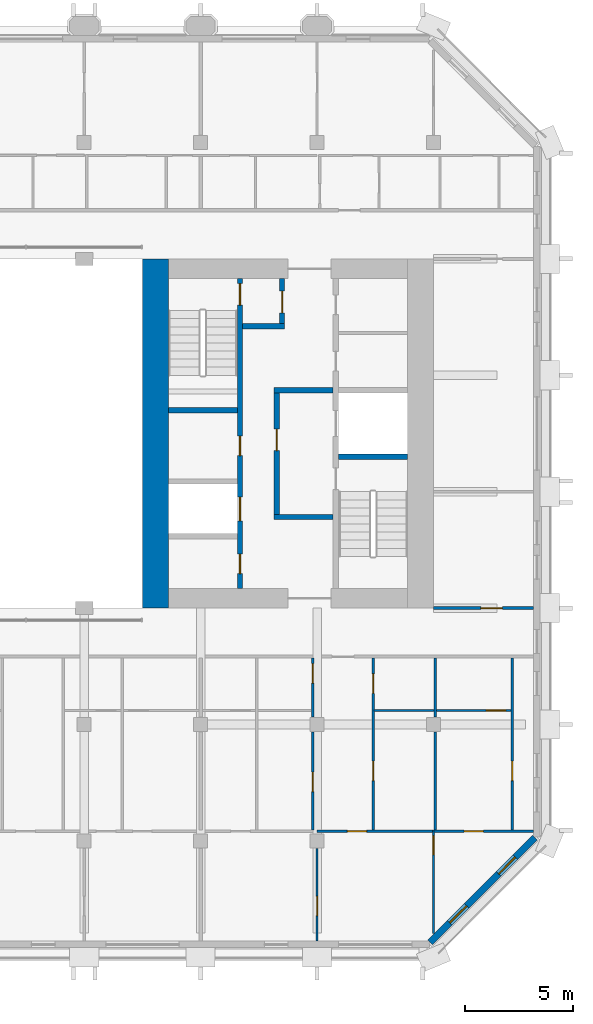
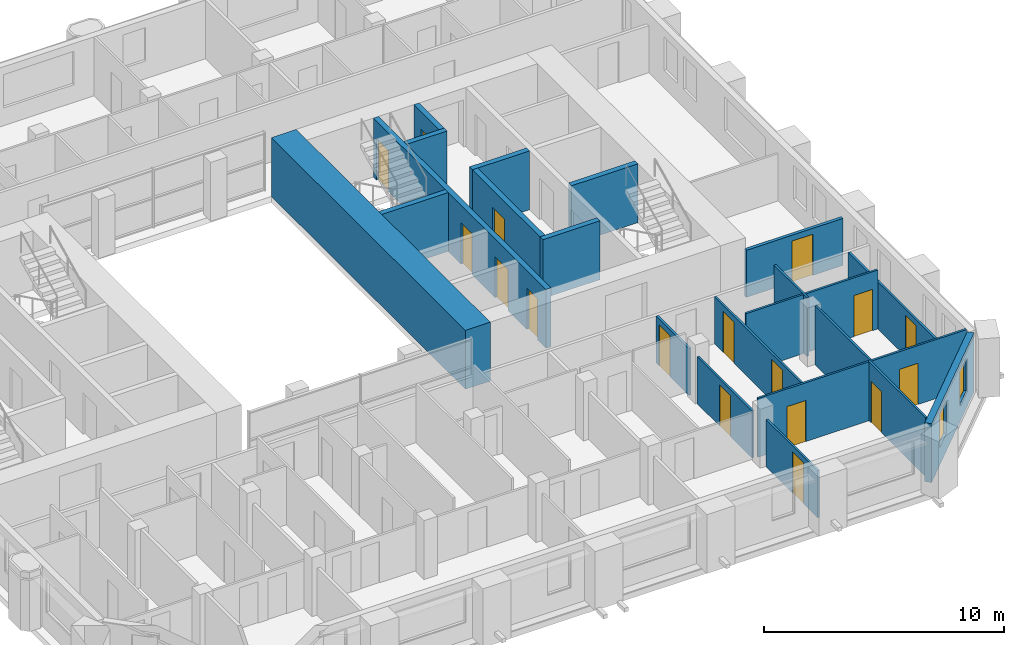
# One storey, part 8 of 14: 23 walls, 17 doors, 2 windows, 19 openings.
"""IFC4 building model written with IfcOpenShell, lengths in metres."""

from ifc_helpers import new_model, si_unit, direction, frame, frame_2d, origin, place, context, subcontext, project, spatial, rectangle, extrude, material, layer, layer_set, type_object, element, fill, save


model = new_model("IFC4")

# Units and contexts
model_context = context("Model", 3, precision=1e-05, world=origin(), true_north=direction((0.0, 1.0)))
body_context = subcontext(model_context, "Body", "Model", "MODEL_VIEW")
ifc_project = project(units=[si_unit("LENGTHUNIT", "METRE"), si_unit("AREAUNIT", "SQUARE_METRE"), si_unit("VOLUMEUNIT", "CUBIC_METRE"), si_unit("PLANEANGLEUNIT", "RADIAN"), si_unit("MASSUNIT", "GRAM", prefix="KILO")], contexts=[model_context])

# Site, building, storey
site_placement = place(None, origin())
site = spatial("IfcSite", under=ifc_project, at=site_placement, CompositionType="ELEMENT")
building_placement = place(site_placement, origin())
building = spatial("IfcBuilding", under=site, at=building_placement, Name="Tabaq Tower and Sports Hall", CompositionType="ELEMENT")
storey_placement = place(building_placement, frame((0.0, 0.0, 281.800048828125)))
storey = spatial("IfcBuildingStorey", under=building, at=storey_placement, Name="L69", CompositionType="ELEMENT", Elevation=281.800048828125)

# Wall
ifc_material_1 = material(Name="Concrete C40/50", Category="concrete")
ifc_layer_1 = layer(ifc_material_1, 1.199951171875)
ifc_layer_set_1 = layer_set([ifc_layer_1], Name="Core wall 1200 Concrete C40/50")
wall_type_1 = type_object("IfcWallType", Name="Core wall 1200 Concrete C40/50", PredefinedType="SOLIDWALL", material=ifc_layer_set_1)
wall_1_placement = place(storey_placement, frame((30.300048828125, 16.199951171875, 0.0), z_axis=(0.0, 0.0, 1.0), x_axis=(0.0, 1.0, 0.0)))
element("IfcWall", 1, at=wall_1_placement, inside=storey, type_object=wall_type_1, Name="Core wall E L69", PredefinedType="SOLIDWALL", context=body_context, shape_type="SweptSolid", body=[
    extrude(rectangle(XDim=16.199951171875, YDim=1.199951171875, at=frame_2d((8.10009765625, 0.0))), origin(), (0.0, 0.0, 1.0), 3.0),
])

# Wall, opening, door
ifc_material_2 = material(Name="Gypsum board on steel studs", Category="steel")
ifc_layer_2 = layer(ifc_material_2, 0.10009765625)
ifc_layer_set_2 = layer_set([ifc_layer_2], Name="Partition 100 Gypsum board")
wall_type_2 = type_object("IfcWallType", Name="Partition 100 Gypsum board", PredefinedType="PARTITIONING", material=ifc_layer_set_2)
wall_2_placement = place(storey_placement, frame((37.800048828125, 0.7509765625, 0.0), z_axis=(0.0, 0.0, 1.0), x_axis=(0.0, 1.0, 0.0)))
wall_2 = element("IfcWall", 2, at=wall_2_placement, inside=storey, type_object=wall_type_2, Name="Partition wall L69", PredefinedType="PARTITIONING", context=body_context, shape_type="SweptSolid", body=[
    extrude(rectangle(XDim=4.303955078125, YDim=0.10009765625, at=frame_2d((2.15185546875, 0.0))), origin(), (0.0, 0.0, 1.0), 2.39990234375),
])
opening_1_placement = place(wall_2_placement, frame((1.179931640625, 0.0, 0.0)))
opening_1 = element("IfcOpeningElement", 3, at=opening_1_placement, cuts=wall_2, Name="Opening L69-044", PredefinedType="OPENING", context=body_context, shape_type="SweptSolid", body=[
    extrude(rectangle(XDim=0.89990234375, YDim=2.10009765625, at=frame_2d((0.449951171875, 1.050048828125))), frame((0.0, 0.050048828125, 0.0), z_axis=(0.0, -1.0, 0.0), x_axis=(1.0, 0.0, 0.0)), (0.0, 0.0, 1.0), 0.10009765625),
])
ifc_material_3 = material(Name="Timber leaf in steel frame", Category="steel")
door_type_1 = type_object("IfcDoorType", Name="Internal door 900 right hand", OperationType="SINGLE_SWING_RIGHT", PredefinedType="DOOR", material=ifc_material_3)
door_1_placement = place(opening_1_placement, origin())
door_1 = element("IfcDoor", 4, at=door_1_placement, inside=storey, type_object=door_type_1, Name="Internal door L69-044", OperationType="SINGLE_SWING_RIGHT", OverallHeight=2.10009765625, OverallWidth=0.89990234375, PredefinedType="DOOR", context=body_context, shape_type="SweptSolid", body=[
    extrude(rectangle(XDim=0.89990234375, YDim=2.10009765625, at=frame_2d((0.449951171875, 1.050048828125))), frame((0.0, 0.02490234375, 0.0), z_axis=(0.0, -1.0, 0.0), x_axis=(1.0, 0.0, 0.0)), (0.0, 0.0, 1.0), 0.050048828125),
])
fill(opening_1, door_1)

wall_3_placement = place(storey_placement, frame((43.199951171875, 1.112060546875, 0.0), z_axis=(0.0, 0.0, 1.0), x_axis=(0.0, 1.0, 0.0)))
wall_3 = element("IfcWall", 5, at=wall_3_placement, inside=storey, type_object=wall_type_2, Name="Partition wall L69", PredefinedType="PARTITIONING", context=body_context, shape_type="SweptSolid", body=[
    extrude(rectangle(XDim=4.787841796875, YDim=0.10009765625, at=frame_2d((2.39404296875, 0.0))), origin(), (0.0, 0.0, 1.0), 3.0),
])
opening_2_placement = place(wall_3_placement, frame((3.637939453125, 0.0, 0.0)))
opening_2 = element("IfcOpeningElement", 6, at=opening_2_placement, cuts=wall_3, Name="Opening L69-052", PredefinedType="OPENING", context=body_context, shape_type="SweptSolid", body=[
    extrude(rectangle(XDim=0.89990234375, YDim=2.10009765625, at=frame_2d((0.449951171875, 1.050048828125))), frame((0.0, 0.050048828125, 0.0), z_axis=(0.0, -1.0, 0.0), x_axis=(1.0, 0.0, 0.0)), (0.0, 0.0, 1.0), 0.10009765625),
])
ifc_material_4 = material(Name="Timber leaf in steel frame", Category="steel")
door_type_2 = type_object("IfcDoorType", Name="Internal door 900 left hand", OperationType="SINGLE_SWING_LEFT", PredefinedType="DOOR", material=ifc_material_4)
door_2_placement = place(opening_2_placement, origin())
door_2 = element("IfcDoor", 7, at=door_2_placement, inside=storey, type_object=door_type_2, Name="Internal door L69-052", OperationType="SINGLE_SWING_LEFT", OverallHeight=2.10009765625, OverallWidth=0.89990234375, PredefinedType="DOOR", context=body_context, shape_type="SweptSolid", body=[
    extrude(rectangle(XDim=0.89990234375, YDim=2.10009765625, at=frame_2d((0.449951171875, 1.050048828125))), frame((0.0, 0.02490234375, 0.0), z_axis=(0.0, -1.0, 0.0), x_axis=(1.0, 0.0, 0.0)), (0.0, 0.0, 1.0), 0.050048828125),
])
fill(opening_2, door_2)

wall_4_placement = place(storey_placement, frame((43.14990234375, 5.85009765625, 0.0), z_axis=(0.0, 0.0, 1.0), x_axis=(-1.0, 0.0, 0.0)))
wall_4 = element("IfcWall", 8, at=wall_4_placement, inside=storey, type_object=wall_type_2, Name="Partition wall L69", PredefinedType="PARTITIONING", context=body_context, shape_type="SweptSolid", body=[
    extrude(rectangle(XDim=5.349853515625, YDim=0.10009765625, at=frame_2d((2.6748046875, 0.0))), origin(), (0.0, 0.0, 1.0), 3.0),
])
opening_3_placement = place(wall_4_placement, frame((3.048095703125, 0.0, 0.0)))
opening_3 = element("IfcOpeningElement", 9, at=opening_3_placement, cuts=wall_4, Name="Opening L69-053", PredefinedType="OPENING", context=body_context, shape_type="SweptSolid", body=[
    extrude(rectangle(XDim=0.89990234375, YDim=2.10009765625, at=frame_2d((0.449951171875, 1.050048828125))), frame((0.0, 0.050048828125, 0.0), z_axis=(0.0, -1.0, 0.0), x_axis=(1.0, 0.0, 0.0)), (0.0, 0.0, 1.0), 0.10009765625),
])
door_3_placement = place(opening_3_placement, origin())
door_3 = element("IfcDoor", 10, at=door_3_placement, inside=storey, type_object=door_type_1, Name="Internal door L69-053", OperationType="SINGLE_SWING_RIGHT", OverallHeight=2.10009765625, OverallWidth=0.89990234375, PredefinedType="DOOR", context=body_context, shape_type="SweptSolid", body=[
    extrude(rectangle(XDim=0.89990234375, YDim=2.10009765625, at=frame_2d((0.449951171875, 1.050048828125))), frame((0.0, 0.02490234375, 0.0), z_axis=(0.0, -1.0, 0.0), x_axis=(1.0, 0.0, 0.0)), (0.0, 0.0, 1.0), 0.050048828125),
])
fill(opening_3, door_3)

wall_5_placement = place(storey_placement, frame((47.84912109375, 5.85009765625, 0.0), z_axis=(0.0, 0.0, 1.0), x_axis=(-1.0, 0.0, 0.0)))
wall_5 = element("IfcWall", 11, at=wall_5_placement, inside=storey, type_object=wall_type_2, Name="Partition wall L69", PredefinedType="PARTITIONING", context=body_context, shape_type="SweptSolid", body=[
    extrude(rectangle(XDim=4.6181640625, YDim=0.10009765625, at=frame_2d((2.30908203125, 0.0))), origin(), (0.0, 0.0, 1.0), 3.0),
])
opening_4_placement = place(wall_5_placement, frame((2.3330078125, 0.0, 0.0)))
opening_4 = element("IfcOpeningElement", 12, at=opening_4_placement, cuts=wall_5, Name="Opening L69-046", PredefinedType="OPENING", context=body_context, shape_type="SweptSolid", body=[
    extrude(rectangle(XDim=0.89990234375, YDim=2.10009765625, at=frame_2d((0.449951171875, 1.050048828125))), frame((0.0, 0.050048828125, 0.0), z_axis=(0.0, -1.0, 0.0), x_axis=(1.0, 0.0, 0.0)), (0.0, 0.0, 1.0), 0.10009765625),
])
door_4_placement = place(opening_4_placement, origin())
door_4 = element("IfcDoor", 13, at=door_4_placement, inside=storey, type_object=door_type_2, Name="Internal door L69-046", OperationType="SINGLE_SWING_LEFT", OverallHeight=2.10009765625, OverallWidth=0.89990234375, PredefinedType="DOOR", context=body_context, shape_type="SweptSolid", body=[
    extrude(rectangle(XDim=0.89990234375, YDim=2.10009765625, at=frame_2d((0.449951171875, 1.050048828125))), frame((0.0, 0.02490234375, 0.0), z_axis=(0.0, -1.0, 0.0), x_axis=(1.0, 0.0, 0.0)), (0.0, 0.0, 1.0), 0.050048828125),
])
fill(opening_4, door_4)

wall_6_placement = place(storey_placement, frame((37.60205078125, 5.89990234375, 0.0), z_axis=(0.0, 0.0, 1.0), x_axis=(0.0, 1.0, 0.0)))
wall_6 = element("IfcWall", 14, at=wall_6_placement, inside=storey, type_object=wall_type_2, Name="Partition wall L69", PredefinedType="PARTITIONING", context=body_context, shape_type="SweptSolid", body=[
    extrude(rectangle(XDim=4.55517578125, YDim=0.10009765625, at=frame_2d((2.277587890625, 0.0))), origin(), (0.0, 0.0, 1.0), 2.39990234375),
])
opening_5_placement = place(wall_6_placement, frame((1.787109375, 0.0, 0.0)))
opening_5 = element("IfcOpeningElement", 15, at=opening_5_placement, cuts=wall_6, Name="Opening L69-022", PredefinedType="OPENING", context=body_context, shape_type="SweptSolid", body=[
    extrude(rectangle(XDim=0.89990234375, YDim=2.10009765625, at=frame_2d((0.449951171875, 1.050048828125))), frame((0.0, 0.050048828125, 0.0), z_axis=(0.0, -1.0, 0.0), x_axis=(1.0, 0.0, 0.0)), (0.0, 0.0, 1.0), 0.10009765625),
])
door_5_placement = place(opening_5_placement, origin())
door_5 = element("IfcDoor", 16, at=door_5_placement, inside=storey, type_object=door_type_1, Name="Internal door L69-022", OperationType="SINGLE_SWING_RIGHT", OverallHeight=2.10009765625, OverallWidth=0.89990234375, PredefinedType="DOOR", context=body_context, shape_type="SweptSolid", body=[
    extrude(rectangle(XDim=0.89990234375, YDim=2.10009765625, at=frame_2d((0.449951171875, 1.050048828125))), frame((0.0, 0.02490234375, 0.0), z_axis=(0.0, -1.0, 0.0), x_axis=(1.0, 0.0, 0.0)), (0.0, 0.0, 1.0), 0.050048828125),
])
fill(opening_5, door_5)

wall_7_placement = place(storey_placement, frame((37.60205078125, 11.14501953125, 0.0), z_axis=(0.0, 0.0, 1.0), x_axis=(0.0, 1.0, 0.0)))
wall_7 = element("IfcWall", 17, at=wall_7_placement, inside=storey, type_object=wall_type_2, Name="Partition wall L69", PredefinedType="PARTITIONING", context=body_context, shape_type="SweptSolid", body=[
    extrude(rectangle(XDim=2.72998046875, YDim=0.10009765625, at=frame_2d((1.364990234375, 0.0))), origin(), (0.0, 0.0, 1.0), 2.39990234375),
])
opening_6_placement = place(wall_7_placement, frame((1.580078125, 0.0, 0.0)))
opening_6 = element("IfcOpeningElement", 18, at=opening_6_placement, cuts=wall_7, Name="Opening L69-023", PredefinedType="OPENING", context=body_context, shape_type="SweptSolid", body=[
    extrude(rectangle(XDim=0.89990234375, YDim=2.10009765625, at=frame_2d((0.449951171875, 1.050048828125))), frame((0.0, 0.050048828125, 0.0), z_axis=(0.0, -1.0, 0.0), x_axis=(1.0, 0.0, 0.0)), (0.0, 0.0, 1.0), 0.10009765625),
])
door_6_placement = place(opening_6_placement, origin())
door_6 = element("IfcDoor", 19, at=door_6_placement, inside=storey, type_object=door_type_2, Name="Internal door L69-023", OperationType="SINGLE_SWING_LEFT", OverallHeight=2.10009765625, OverallWidth=0.89990234375, PredefinedType="DOOR", context=body_context, shape_type="SweptSolid", body=[
    extrude(rectangle(XDim=0.89990234375, YDim=2.10009765625, at=frame_2d((0.449951171875, 1.050048828125))), frame((0.0, 0.02490234375, 0.0), z_axis=(0.0, -1.0, 0.0), x_axis=(1.0, 0.0, 0.0)), (0.0, 0.0, 1.0), 0.050048828125),
])
fill(opening_6, door_6)

# Wall, openings, doors
wall_8_placement = place(storey_placement, frame((40.402099609375, 5.89990234375, 0.0), z_axis=(0.0, 0.0, 1.0), x_axis=(0.0, 1.0, 0.0)))
wall_8 = element("IfcWall", 20, at=wall_8_placement, inside=storey, type_object=wall_type_2, Name="Partition wall L69", PredefinedType="PARTITIONING", context=body_context, shape_type="SweptSolid", body=[
    extrude(rectangle(XDim=7.97509765625, YDim=0.10009765625, at=frame_2d((3.987548828125, 0.0))), origin(), (0.0, 0.0, 1.0), 2.39990234375),
])
opening_7_placement = place(wall_8_placement, frame((2.300048828125, 0.0, 0.0)))
opening_7 = element("IfcOpeningElement", 21, at=opening_7_placement, cuts=wall_8, Name="Opening L69-024", PredefinedType="OPENING", context=body_context, shape_type="SweptSolid", body=[
    extrude(rectangle(XDim=0.89990234375, YDim=2.10009765625, at=frame_2d((0.449951171875, 1.050048828125))), frame((0.0, 0.050048828125, 0.0), z_axis=(0.0, -1.0, 0.0), x_axis=(1.0, 0.0, 0.0)), (0.0, 0.0, 1.0), 0.10009765625),
])
opening_8_placement = place(wall_8_placement, frame((6.35009765625, 0.0, 0.0)))
opening_8 = element("IfcOpeningElement", 22, at=opening_8_placement, cuts=wall_8, Name="Opening L69-025", PredefinedType="OPENING", context=body_context, shape_type="SweptSolid", body=[
    extrude(rectangle(XDim=0.89990234375, YDim=2.10009765625, at=frame_2d((0.449951171875, 1.050048828125))), frame((0.0, 0.050048828125, 0.0), z_axis=(0.0, -1.0, 0.0), x_axis=(1.0, 0.0, 0.0)), (0.0, 0.0, 1.0), 0.10009765625),
])
door_7_placement = place(opening_7_placement, origin())
door_7 = element("IfcDoor", 23, at=door_7_placement, inside=storey, type_object=door_type_2, Name="Internal door L69-024", OperationType="SINGLE_SWING_LEFT", OverallHeight=2.10009765625, OverallWidth=0.89990234375, PredefinedType="DOOR", context=body_context, shape_type="SweptSolid", body=[
    extrude(rectangle(XDim=0.89990234375, YDim=2.10009765625, at=frame_2d((0.449951171875, 1.050048828125))), frame((0.0, 0.02490234375, 0.0), z_axis=(0.0, -1.0, 0.0), x_axis=(1.0, 0.0, 0.0)), (0.0, 0.0, 1.0), 0.050048828125),
])
fill(opening_7, door_7)
door_8_placement = place(opening_8_placement, origin())
door_8 = element("IfcDoor", 24, at=door_8_placement, inside=storey, type_object=door_type_2, Name="Internal door L69-025", OperationType="SINGLE_SWING_LEFT", OverallHeight=2.10009765625, OverallWidth=0.89990234375, PredefinedType="DOOR", context=body_context, shape_type="SweptSolid", body=[
    extrude(rectangle(XDim=0.89990234375, YDim=2.10009765625, at=frame_2d((0.449951171875, 1.050048828125))), frame((0.0, 0.02490234375, 0.0), z_axis=(0.0, -1.0, 0.0), x_axis=(1.0, 0.0, 0.0)), (0.0, 0.0, 1.0), 0.050048828125),
])
fill(opening_8, door_8)

# Walls
wall_9_placement = place(storey_placement, frame((43.281005859375, 5.89990234375, 0.0), z_axis=(0.0, 0.0, 1.0), x_axis=(0.0, 1.0, 0.0)))
element("IfcWall", 25, at=wall_9_placement, inside=storey, type_object=wall_type_2, Name="Partition wall L69", PredefinedType="PARTITIONING", context=body_context, shape_type="SweptSolid", body=[
    extrude(rectangle(XDim=4.55517578125, YDim=0.10009765625, at=frame_2d((2.277587890625, 0.0))), origin(), (0.0, 0.0, 1.0), 3.0),
])
wall_10_placement = place(storey_placement, frame((43.23095703125, 11.449951171875, 0.0), z_axis=(0.0, 0.0, 1.0), x_axis=(-1.0, 0.0, 0.0)))
element("IfcWall", 26, at=wall_10_placement, inside=storey, type_object=wall_type_2, Name="Partition wall L69", PredefinedType="PARTITIONING", context=body_context, shape_type="SweptSolid", body=[
    extrude(rectangle(XDim=2.779052734375, YDim=0.10009765625, at=frame_2d((1.3896484375, 0.0))), origin(), (0.0, 0.0, 1.0), 3.0),
])
wall_11_placement = place(storey_placement, frame((43.281005859375, 11.14501953125, 0.0), z_axis=(0.0, 0.0, 1.0), x_axis=(0.0, 1.0, 0.0)))
element("IfcWall", 27, at=wall_11_placement, inside=storey, type_object=wall_type_2, Name="Partition wall L69", PredefinedType="PARTITIONING", context=body_context, shape_type="SweptSolid", body=[
    extrude(rectangle(XDim=2.72998046875, YDim=0.10009765625, at=frame_2d((1.364990234375, 0.0))), origin(), (0.0, 0.0, 1.0), 3.0),
])

# Wall, opening, door
wall_12_placement = place(storey_placement, frame((46.802001953125, 11.449951171875, 0.0), z_axis=(0.0, 0.0, 1.0), x_axis=(-1.0, 0.0, 0.0)))
wall_12 = element("IfcWall", 28, at=wall_12_placement, inside=storey, type_object=wall_type_2, Name="Partition wall L69", PredefinedType="PARTITIONING", context=body_context, shape_type="SweptSolid", body=[
    extrude(rectangle(XDim=3.470947265625, YDim=0.10009765625, at=frame_2d((1.7353515625, 0.0))), origin(), (0.0, 0.0, 1.0), 3.0),
])
opening_9_placement = place(wall_12_placement, frame((0.25, 0.0, 0.0)))
opening_9 = element("IfcOpeningElement", 29, at=opening_9_placement, cuts=wall_12, Name="Opening L69-026", PredefinedType="OPENING", context=body_context, shape_type="SweptSolid", body=[
    extrude(rectangle(XDim=0.89990234375, YDim=2.10009765625, at=frame_2d((0.449951171875, 1.050048828125))), frame((0.0, 0.050048828125, 0.0), z_axis=(0.0, -1.0, 0.0), x_axis=(1.0, 0.0, 0.0)), (0.0, 0.0, 1.0), 0.10009765625),
])
door_9_placement = place(opening_9_placement, origin())
door_9 = element("IfcDoor", 30, at=door_9_placement, inside=storey, type_object=door_type_2, Name="Internal door L69-026", OperationType="SINGLE_SWING_LEFT", OverallHeight=2.10009765625, OverallWidth=0.89990234375, PredefinedType="DOOR", context=body_context, shape_type="SweptSolid", body=[
    extrude(rectangle(XDim=0.89990234375, YDim=2.10009765625, at=frame_2d((0.449951171875, 1.050048828125))), frame((0.0, 0.02490234375, 0.0), z_axis=(0.0, -1.0, 0.0), x_axis=(1.0, 0.0, 0.0)), (0.0, 0.0, 1.0), 0.050048828125),
])
fill(opening_9, door_9)

wall_13_placement = place(storey_placement, frame((46.85205078125, 5.89990234375, 0.0), z_axis=(0.0, 0.0, 1.0), x_axis=(0.0, 1.0, 0.0)))
wall_13 = element("IfcWall", 31, at=wall_13_placement, inside=storey, type_object=wall_type_2, Name="Partition wall L69", PredefinedType="PARTITIONING", context=body_context, shape_type="SweptSolid", body=[
    extrude(rectangle(XDim=7.97509765625, YDim=0.10009765625, at=frame_2d((3.987548828125, 0.0))), origin(), (0.0, 0.0, 1.0), 2.39990234375),
])
opening_10_placement = place(wall_13_placement, frame((2.300048828125, 0.0, 0.0)))
opening_10 = element("IfcOpeningElement", 32, at=opening_10_placement, cuts=wall_13, Name="Opening L69-063", PredefinedType="OPENING", context=body_context, shape_type="SweptSolid", body=[
    extrude(rectangle(XDim=0.89990234375, YDim=2.10009765625, at=frame_2d((0.449951171875, 1.050048828125))), frame((0.0, 0.050048828125, 0.0), z_axis=(0.0, -1.0, 0.0), x_axis=(1.0, 0.0, 0.0)), (0.0, 0.0, 1.0), 0.10009765625),
])
door_10_placement = place(opening_10_placement, origin())
door_10 = element("IfcDoor", 33, at=door_10_placement, inside=storey, type_object=door_type_1, Name="Internal door L69-063", OperationType="SINGLE_SWING_RIGHT", OverallHeight=2.10009765625, OverallWidth=0.89990234375, PredefinedType="DOOR", context=body_context, shape_type="SweptSolid", body=[
    extrude(rectangle(XDim=0.89990234375, YDim=2.10009765625, at=frame_2d((0.449951171875, 1.050048828125))), frame((0.0, 0.02490234375, 0.0), z_axis=(0.0, -1.0, 0.0), x_axis=(1.0, 0.0, 0.0)), (0.0, 0.0, 1.0), 0.050048828125),
])
fill(opening_10, door_10)

ifc_material_5 = material(Name="Blockwork", Category="masonry")
ifc_layer_3 = layer(ifc_material_5, 0.14990234375)
ifc_layer_set_3 = layer_set([ifc_layer_3], Name="Separating wall 150 Blockwork")
wall_type_3 = type_object("IfcWallType", Name="Separating wall 150 Blockwork", PredefinedType="PARTITIONING", material=ifc_layer_set_3)
wall_14_placement = place(storey_placement, frame((43.199951171875, 16.199951171875, 0.0), z_axis=(0.0, 0.0, 1.0), x_axis=(1.0, 0.0, 0.0)))
wall_14 = element("IfcWall", 34, at=wall_14_placement, inside=storey, type_object=wall_type_3, Name="Separating wall L69", PredefinedType="PARTITIONING", context=body_context, shape_type="SweptSolid", body=[
    extrude(rectangle(XDim=4.649169921875, YDim=0.14990234375, at=frame_2d((2.32470703125, 0.0))), origin(), (0.0, 0.0, 1.0), 2.39990234375),
])
opening_11_placement = place(wall_14_placement, frame((2.199951171875, 0.0, 0.0)))
opening_11 = element("IfcOpeningElement", 35, at=opening_11_placement, cuts=wall_14, Name="Opening L69-027", PredefinedType="OPENING", context=body_context, shape_type="SweptSolid", body=[
    extrude(rectangle(XDim=1.0, YDim=2.10009765625, at=frame_2d((0.5, 1.050048828125))), frame((0.0, 0.074951171875, 0.0), z_axis=(0.0, -1.0, 0.0), x_axis=(1.0, 0.0, 0.0)), (0.0, 0.0, 1.0), 0.14990234375),
])
ifc_material_6 = material(Name="Timber leaf in steel frame", Category="steel")
door_type_3 = type_object("IfcDoorType", Name="Internal door 1000 right hand", OperationType="SINGLE_SWING_RIGHT", PredefinedType="DOOR", material=ifc_material_6)
door_11_placement = place(opening_11_placement, origin())
door_11 = element("IfcDoor", 36, at=door_11_placement, inside=storey, type_object=door_type_3, Name="Internal door L69-027", OperationType="SINGLE_SWING_RIGHT", OverallHeight=2.10009765625, OverallWidth=1.0, PredefinedType="DOOR", context=body_context, shape_type="SweptSolid", body=[
    extrude(rectangle(XDim=1.0, YDim=2.10009765625, at=frame_2d((0.5, 1.050048828125))), frame((0.0, 0.02490234375, 0.0), z_axis=(0.0, -1.0, 0.0), x_axis=(1.0, 0.0, 0.0)), (0.0, 0.0, 1.0), 0.050048828125),
])
fill(opening_11, door_11)

# Wall, openings, doors
ifc_material_7 = material(Name="Concrete C40/50", Category="concrete")
ifc_layer_4 = layer(ifc_material_7, 0.25)
ifc_layer_set_4 = layer_set([ifc_layer_4], Name="Shaft and stair wall 250 Concrete C40/50")
wall_type_4 = type_object("IfcWallType", Name="Shaft and stair wall 250 Concrete C40/50", PredefinedType="SOLIDWALL", material=ifc_layer_set_4)
wall_15_placement = place(storey_placement, frame((34.22509765625, 17.10009765625, 0.0), z_axis=(0.0, 0.0, 1.0), x_axis=(0.0, 1.0, 0.0)))
wall_15 = element("IfcWall", 37, at=wall_15_placement, inside=storey, type_object=wall_type_4, Name="Shaft wall E L69", PredefinedType="SOLIDWALL", context=body_context, shape_type="SweptSolid", body=[
    extrude(rectangle(XDim=14.39990234375, YDim=0.25, at=frame_2d((7.199951171875, 0.0))), origin(), (0.0, 0.0, 1.0), 3.0),
])
opening_12_placement = place(wall_15_placement, frame((13.14990234375, 0.0, 0.0)))
opening_12 = element("IfcOpeningElement", 38, at=opening_12_placement, cuts=wall_15, Name="Opening SD-EL69-05", PredefinedType="OPENING", context=body_context, shape_type="SweptSolid", body=[
    extrude(rectangle(XDim=1.0, YDim=2.10009765625, at=frame_2d((0.5, 1.050048828125))), frame((0.0, 0.125, 0.0), z_axis=(0.0, -1.0, 0.0), x_axis=(1.0, 0.0, 0.0)), (0.0, 0.0, 1.0), 0.25),
])
opening_13_placement = place(wall_15_placement, frame((3.14990234375, 0.0, 0.0)))
opening_13 = element("IfcOpeningElement", 39, at=opening_13_placement, cuts=wall_15, Name="Opening LD-HR2-L69", PredefinedType="OPENING", context=body_context, shape_type="SweptSolid", body=[
    extrude(rectangle(XDim=1.10009765625, YDim=2.10009765625, at=frame_2d((0.550048828125, 1.050048828125))), frame((0.0, 0.125, 0.0), z_axis=(0.0, -1.0, 0.0), x_axis=(1.0, 0.0, 0.0)), (0.0, 0.0, 1.0), 0.25),
])
opening_14_placement = place(wall_15_placement, frame((0.699951171875, 0.0, 0.0)))
opening_14 = element("IfcOpeningElement", 40, at=opening_14_placement, cuts=wall_15, Name="Opening RD-EL69-11", PredefinedType="OPENING", context=body_context, shape_type="SweptSolid", body=[
    extrude(rectangle(XDim=0.89990234375, YDim=2.10009765625, at=frame_2d((0.449951171875, 1.050048828125))), frame((0.0, 0.125, 0.0), z_axis=(0.0, -1.0, 0.0), x_axis=(1.0, 0.0, 0.0)), (0.0, 0.0, 1.0), 0.25),
])
opening_15_placement = place(wall_15_placement, frame((6.175048828125, 0.0, 0.0)))
opening_15 = element("IfcOpeningElement", 41, at=opening_15_placement, cuts=wall_15, Name="Opening RD-EL69-12", PredefinedType="OPENING", context=body_context, shape_type="SweptSolid", body=[
    extrude(rectangle(XDim=0.89990234375, YDim=2.10009765625, at=frame_2d((0.449951171875, 1.050048828125))), frame((0.0, 0.125, 0.0), z_axis=(0.0, -1.0, 0.0), x_axis=(1.0, 0.0, 0.0)), (0.0, 0.0, 1.0), 0.25),
])
ifc_material_8 = material(Name="Steel fire door", Category="steel")
door_type_4 = type_object("IfcDoorType", Name="Core room door 900", OperationType="SINGLE_SWING_LEFT", PredefinedType="DOOR", material=ifc_material_8)
door_12_placement = place(opening_14_placement, origin())
door_12 = element("IfcDoor", 42, at=door_12_placement, inside=storey, type_object=door_type_4, Name="Door Electrical Riser Room E L69", OperationType="SINGLE_SWING_LEFT", OverallHeight=2.10009765625, OverallWidth=0.89990234375, PredefinedType="DOOR", context=body_context, shape_type="SweptSolid", body=[
    extrude(rectangle(XDim=0.89990234375, YDim=2.10009765625, at=frame_2d((0.449951171875, 1.050048828125))), frame((0.0, 0.02490234375, 0.0), z_axis=(0.0, -1.0, 0.0), x_axis=(1.0, 0.0, 0.0)), (0.0, 0.0, 1.0), 0.050048828125),
])
fill(opening_14, door_12)
door_13_placement = place(opening_15_placement, origin())
door_13 = element("IfcDoor", 43, at=door_13_placement, inside=storey, type_object=door_type_4, Name="Door Riser Room E L69", OperationType="SINGLE_SWING_LEFT", OverallHeight=2.10009765625, OverallWidth=0.89990234375, PredefinedType="DOOR", context=body_context, shape_type="SweptSolid", body=[
    extrude(rectangle(XDim=0.89990234375, YDim=2.10009765625, at=frame_2d((0.449951171875, 1.050048828125))), frame((0.0, 0.02490234375, 0.0), z_axis=(0.0, -1.0, 0.0), x_axis=(1.0, 0.0, 0.0)), (0.0, 0.0, 1.0), 0.050048828125),
])
fill(opening_15, door_13)
ifc_material_9 = material(Name="Stainless steel", Category="steel")
door_type_5 = type_object("IfcDoorType", Name="Lift landing door 1100", OperationType="DOUBLE_DOOR_SLIDING", PredefinedType="DOOR", material=ifc_material_9)
door_14_placement = place(opening_13_placement, origin())
door_14 = element("IfcDoor", 44, at=door_14_placement, inside=storey, type_object=door_type_5, Name="Lift landing door HR2 E L69", OperationType="DOUBLE_DOOR_SLIDING", OverallHeight=2.10009765625, OverallWidth=1.10009765625, PredefinedType="DOOR", context=body_context, shape_type="SweptSolid", body=[
    extrude(rectangle(XDim=1.10009765625, YDim=2.10009765625, at=frame_2d((0.550048828125, 1.050048828125))), frame((0.0, 0.02490234375, 0.0), z_axis=(0.0, -1.0, 0.0), x_axis=(1.0, 0.0, 0.0)), (0.0, 0.0, 1.0), 0.050048828125),
])
fill(opening_13, door_14)
ifc_material_10 = material(Name="Steel fire door", Category="steel")
door_type_6 = type_object("IfcDoorType", Name="Stair door 1000", OperationType="SINGLE_SWING_LEFT", PredefinedType="DOOR", material=ifc_material_10)
door_15_placement = place(opening_12_placement, origin())
door_15 = element("IfcDoor", 45, at=door_15_placement, inside=storey, type_object=door_type_6, Name="Stair door ST4 E L69", OperationType="SINGLE_SWING_LEFT", OverallHeight=2.10009765625, OverallWidth=1.0, PredefinedType="DOOR", context=body_context, shape_type="SweptSolid", body=[
    extrude(rectangle(XDim=1.0, YDim=2.10009765625, at=frame_2d((0.5, 1.050048828125))), frame((0.0, 0.02490234375, 0.0), z_axis=(0.0, -1.0, 0.0), x_axis=(1.0, 0.0, 0.0)), (0.0, 0.0, 1.0), 0.050048828125),
])
fill(opening_12, door_15)

# Walls
wall_16_placement = place(storey_placement, frame((38.800048828125, 23.22509765625, 0.0), z_axis=(0.0, 0.0, 1.0), x_axis=(1.0, 0.0, 0.0)))
element("IfcWall", 46, at=wall_16_placement, inside=storey, type_object=wall_type_4, Name="Stair enclosure wall E L69", PredefinedType="SOLIDWALL", context=body_context, shape_type="SweptSolid", body=[
    extrude(rectangle(XDim=3.199951171875, YDim=0.25, at=frame_2d((1.60009765625, 0.0))), origin(), (0.0, 0.0, 1.0), 3.0),
])
wall_17_placement = place(storey_placement, frame((30.89990234375, 25.375, 0.0), z_axis=(0.0, 0.0, 1.0), x_axis=(1.0, 0.0, 0.0)))
element("IfcWall", 47, at=wall_17_placement, inside=storey, type_object=wall_type_4, Name="Stair enclosure wall E L69", PredefinedType="SOLIDWALL", context=body_context, shape_type="SweptSolid", body=[
    extrude(rectangle(XDim=3.2001953125, YDim=0.25, at=frame_2d((1.60009765625, 0.0))), origin(), (0.0, 0.0, 1.0), 3.0),
])
for number, where, z_axis, x_axis, name in (
    (48, (35.800048828125, 26.300048828125, 0.0), (0.0, 0.0, 1.0), (1.0, 0.0, 0.0), "Fire-fighting lobby wall E L69"),
    (49, (35.800048828125, 20.425048828125, 0.0), (0.0, 0.0, 1.0), (1.0, 0.0, 0.0), "Fire-fighting lobby wall E L69"),
):
    element("IfcWall", number, at=place(storey_placement, frame(where, z_axis=z_axis, x_axis=x_axis)), inside=storey, type_object=wall_type_4, Name=name, PredefinedType="SOLIDWALL", context=body_context, shape_type="SweptSolid", body=[
        extrude(rectangle(XDim=2.75, YDim=0.25, at=frame_2d((1.375, 0.0))), origin(), (0.0, 0.0, 1.0), 3.0),
    ])

# Wall, opening, door
wall_18_placement = place(storey_placement, frame((36.175048828125, 29.39990234375, 0.0), z_axis=(0.0, 0.0, 1.0), x_axis=(0.0, 1.0, 0.0)))
wall_18 = element("IfcWall", 50, at=wall_18_placement, inside=storey, type_object=wall_type_4, Name="Fire-fighting lobby wall E L69", PredefinedType="SOLIDWALL", context=body_context, shape_type="SweptSolid", body=[
    extrude(rectangle(XDim=2.10009765625, YDim=0.25, at=frame_2d((1.050048828125, 0.0))), origin(), (0.0, 0.0, 1.0), 3.0),
])
opening_16_placement = place(wall_18_placement, frame((0.5, 0.0, 0.0)))
opening_16 = element("IfcOpeningElement", 51, at=opening_16_placement, cuts=wall_18, Name="Opening FD-EL69-06", PredefinedType="OPENING", context=body_context, shape_type="SweptSolid", body=[
    extrude(rectangle(XDim=1.0, YDim=2.10009765625, at=frame_2d((0.5, 1.050048828125))), frame((0.0, 0.125, 0.0), z_axis=(0.0, -1.0, 0.0), x_axis=(1.0, 0.0, 0.0)), (0.0, 0.0, 1.0), 0.25),
])
ifc_material_11 = material(Name="Steel fire door", Category="steel")
door_type_7 = type_object("IfcDoorType", Name="Fire-fighting lobby door 1000", OperationType="SINGLE_SWING_LEFT", PredefinedType="DOOR", material=ifc_material_11)
door_16_placement = place(opening_16_placement, origin())
door_16 = element("IfcDoor", 52, at=door_16_placement, inside=storey, type_object=door_type_7, Name="Stair lobby door E L69", OperationType="SINGLE_SWING_LEFT", OverallHeight=2.10009765625, OverallWidth=1.0, PredefinedType="DOOR", context=body_context, shape_type="SweptSolid", body=[
    extrude(rectangle(XDim=1.0, YDim=2.10009765625, at=frame_2d((0.5, 1.050048828125))), frame((0.0, 0.02490234375, 0.0), z_axis=(0.0, -1.0, 0.0), x_axis=(1.0, 0.0, 0.0)), (0.0, 0.0, 1.0), 0.050048828125),
])
fill(opening_16, door_16)

# Wall
wall_19_placement = place(storey_placement, frame((34.35009765625, 29.27490234375, 0.0), z_axis=(0.0, 0.0, 1.0), x_axis=(1.0, 0.0, 0.0)))
element("IfcWall", 53, at=wall_19_placement, inside=storey, type_object=wall_type_4, Name="Fire-fighting lobby wall E L69", PredefinedType="SOLIDWALL", context=body_context, shape_type="SweptSolid", body=[
    extrude(rectangle(XDim=1.949951171875, YDim=0.25, at=frame_2d((0.97509765625, 0.0))), origin(), (0.0, 0.0, 1.0), 3.0),
])

# Wall, opening, door
wall_20_placement = place(storey_placement, frame((35.925048828125, 20.550048828125, 0.0), z_axis=(0.0, 0.0, 1.0), x_axis=(0.0, 1.0, 0.0)))
wall_20 = element("IfcWall", 54, at=wall_20_placement, inside=storey, type_object=wall_type_4, Name="Fire-fighting lobby wall E L69", PredefinedType="SOLIDWALL", context=body_context, shape_type="SweptSolid", body=[
    extrude(rectangle(XDim=5.625, YDim=0.25, at=frame_2d((2.8125, 0.0))), origin(), (0.0, 0.0, 1.0), 3.0),
])
opening_17_placement = place(wall_20_placement, frame((2.949951171875, 0.0, 0.0)))
opening_17 = element("IfcOpeningElement", 55, at=opening_17_placement, cuts=wall_20, Name="Opening FD-EL69-04", PredefinedType="OPENING", context=body_context, shape_type="SweptSolid", body=[
    extrude(rectangle(XDim=1.0, YDim=2.10009765625, at=frame_2d((0.5, 1.050048828125))), frame((0.0, 0.125, 0.0), z_axis=(0.0, -1.0, 0.0), x_axis=(1.0, 0.0, 0.0)), (0.0, 0.0, 1.0), 0.25),
])
door_17_placement = place(opening_17_placement, origin())
door_17 = element("IfcDoor", 56, at=door_17_placement, inside=storey, type_object=door_type_7, Name="Fire-fighting lobby door E L69", OperationType="SINGLE_SWING_LEFT", OverallHeight=2.10009765625, OverallWidth=1.0, PredefinedType="DOOR", context=body_context, shape_type="SweptSolid", body=[
    extrude(rectangle(XDim=1.0, YDim=2.10009765625, at=frame_2d((0.5, 1.050048828125))), frame((0.0, 0.02490234375, 0.0), z_axis=(0.0, -1.0, 0.0), x_axis=(1.0, 0.0, 0.0)), (0.0, 0.0, 1.0), 0.050048828125),
])
fill(opening_17, door_17)

# Wall, openings, windows
ifc_material_12 = material(Name="White precast concrete C60/75", Category="concrete")
ifc_layer_5 = layer(ifc_material_12, 0.300048828125)
ifc_layer_set_5 = layer_set([ifc_layer_5], Name="White precast concrete C60/75 external wall 300")
wall_type_5 = type_object("IfcWallType", Name="White precast concrete C60/75 external wall 300", PredefinedType="SOLIDWALL", material=ifc_layer_set_5)
wall_21_placement = place(storey_placement, frame((43.050537109375, 0.698974609375, 0.0), z_axis=(0.0, 0.0, 1.0), x_axis=(0.707106781187, 0.707106781187, 0.0)))
wall_21 = element("IfcWall", 57, at=wall_21_placement, inside=storey, type_object=wall_type_5, Name="External Wall L69 SE", PredefinedType="SOLIDWALL", context=body_context, shape_type="SweptSolid", body=[
    extrude(rectangle(XDim=6.85986328125, YDim=0.300048828125, at=frame_2d((3.429931640625, 0.0))), origin(), (0.0, 0.0, 1.0), 3.0),
])
opening_18_placement = place(wall_21_placement, frame((1.27978515625, 0.0, 0.89990234375)))
opening_18 = element("IfcOpeningElement", 58, at=opening_18_placement, cuts=wall_21, Name="Opening W1B", PredefinedType="OPENING", context=body_context, shape_type="SweptSolid", body=[
    extrude(rectangle(XDim=1.10009765625, YDim=1.699951171875, at=frame_2d((0.550048828125, 0.85009765625))), frame((0.0, 0.16015625, 0.0), z_axis=(0.0, -1.0, 0.0), x_axis=(1.0, 0.0, 0.0)), (0.0, 0.0, 1.0), 0.320068359375),
])
opening_19_placement = place(wall_21_placement, frame((4.479736328125, 0.0, 0.89990234375)))
opening_19 = element("IfcOpeningElement", 59, at=opening_19_placement, cuts=wall_21, Name="Opening W1B", PredefinedType="OPENING", context=body_context, shape_type="SweptSolid", body=[
    extrude(rectangle(XDim=1.10009765625, YDim=1.699951171875, at=frame_2d((0.550048828125, 0.85009765625))), frame((0.0, 0.16015625, 0.0), z_axis=(0.0, -1.0, 0.0), x_axis=(1.0, 0.0, 0.0)), (0.0, 0.0, 1.0), 0.320068359375),
])
ifc_material_13 = material(Name="Aluminium framed clear glazing", Category="aluminium")
window_type = type_object("IfcWindowType", Name="Window W1B", PartitioningType="SINGLE_PANEL", PredefinedType="WINDOW", material=ifc_material_13)
window_1_placement = place(opening_18_placement, origin())
window_1 = element("IfcWindow", 60, at=window_1_placement, inside=storey, type_object=window_type, Name="Window W1B L69", OverallHeight=1.699951171875, OverallWidth=1.10009765625, PartitioningType="SINGLE_PANEL", PredefinedType="WINDOW", context=body_context, shape_type="SweptSolid", body=[
    extrude(rectangle(XDim=1.10009765625, YDim=1.699951171875, at=frame_2d((0.550048828125, 0.85009765625))), frame((0.0, 0.030029296875, 0.0), z_axis=(0.0, -1.0, 0.0), x_axis=(1.0, 0.0, 0.0)), (0.0, 0.0, 1.0), 0.06005859375),
])
fill(opening_18, window_1)
window_2_placement = place(opening_19_placement, origin())
window_2 = element("IfcWindow", 61, at=window_2_placement, inside=storey, type_object=window_type, Name="Window W1B L69", OverallHeight=1.699951171875, OverallWidth=1.10009765625, PartitioningType="SINGLE_PANEL", PredefinedType="WINDOW", context=body_context, shape_type="SweptSolid", body=[
    extrude(rectangle(XDim=1.10009765625, YDim=1.699951171875, at=frame_2d((0.550048828125, 0.85009765625))), frame((0.0, 0.030029296875, 0.0), z_axis=(0.0, -1.0, 0.0), x_axis=(1.0, 0.0, 0.0)), (0.0, 0.0, 1.0), 0.06005859375),
])
fill(opening_19, window_2)

save(model, "model.ifc")
